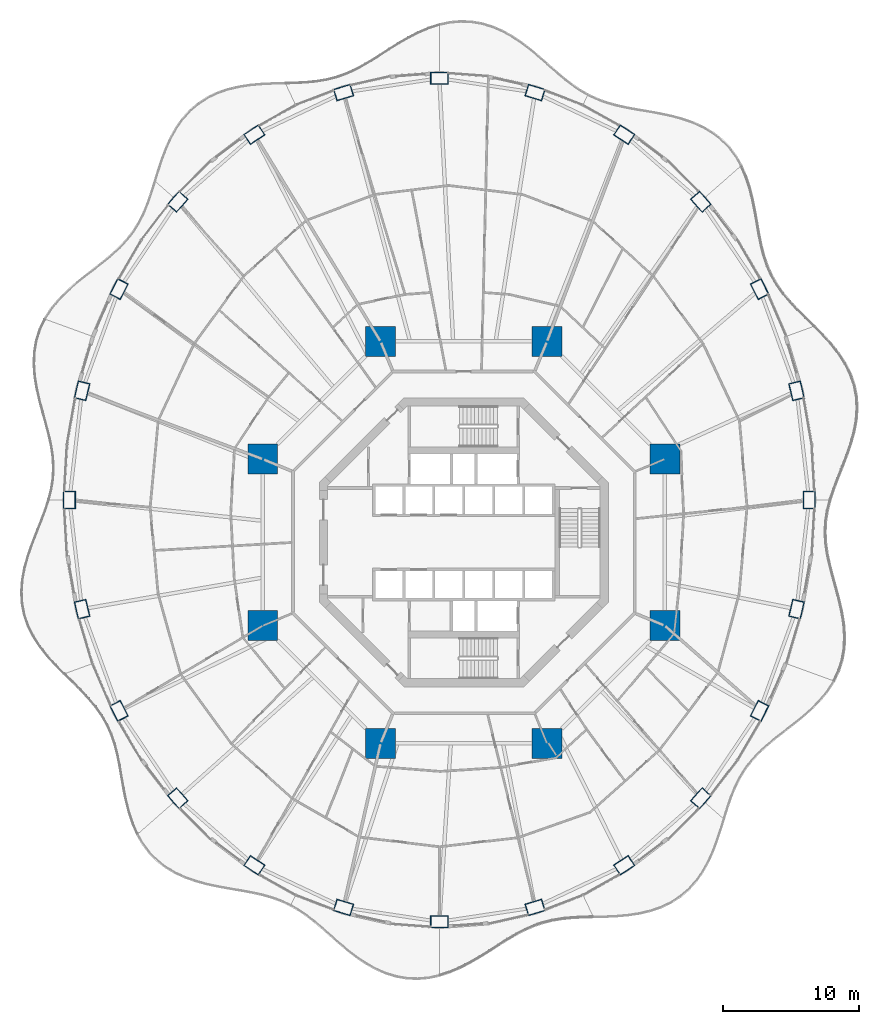
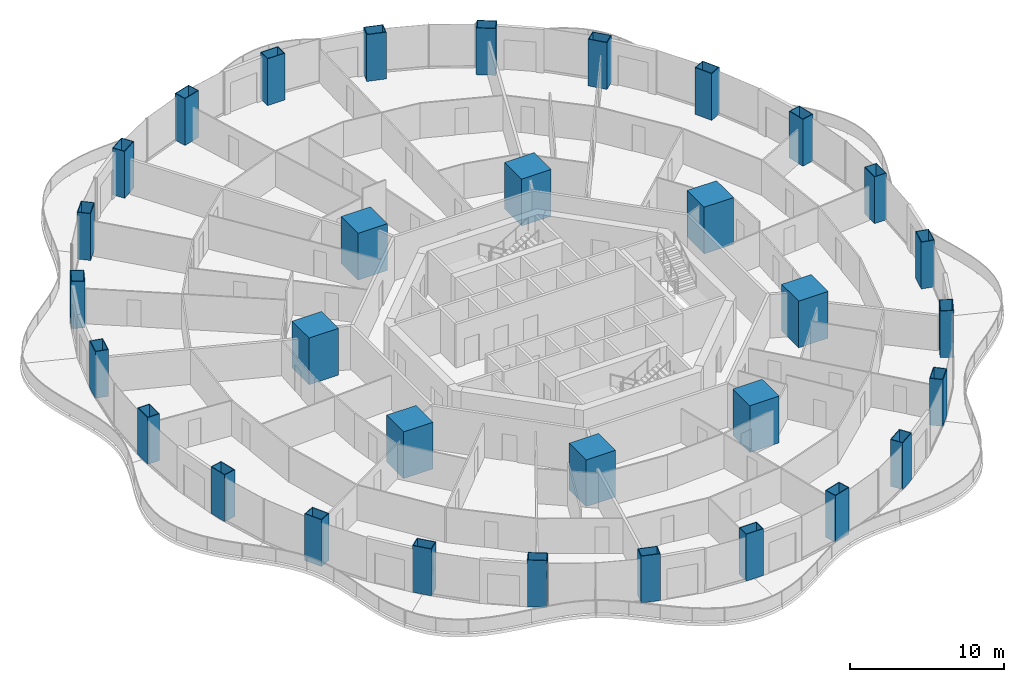
# One storey, part 1 of 22: 32 columns.
"""IFC4 building model written with IfcOpenShell, lengths in metres."""

import ifcopenshell
import ifcopenshell.guid

model = None  # the IFC model being written
_history = None  # IfcOwnerHistory: only IFC2X3 demands one
_inside = {}  # id of a spatial element -> (the spatial element, [elements in it])
_under = {}  # id of a project, library or spatial element -> (it, [spatial elements below it])
_declared = {}  # id of a project -> (the project, [libraries it declares])
_typed = {}  # id of a type object -> (the type object, [elements of that type])
_made_of = {}  # id of a material, layer set ... -> (it, [elements and type objects made of it])


def new_model(schema):
    """Start an empty IFC model of exactly this schema.

    Asked for "IFC4X3", IfcOpenShell would pick the latest addendum, in which some entities
    have other attributes; the version numbers below select the first issue.
    IFC2X3 requires an IfcOwnerHistory on every rooted entity: one is made here for all.
    """
    global model, _history
    if schema == "IFC4X3":
        model = ifcopenshell.file(schema_version=(4, 3, 0, 0))
    else:
        model = ifcopenshell.file(schema=schema)
    _inside.clear()
    _under.clear()
    _declared.clear()
    _typed.clear()
    _made_of.clear()
    _history = None
    if model.schema == "IFC2X3":
        org = make("IfcOrganization", Name="unknown")
        user = make(
            "IfcPersonAndOrganization",
            ThePerson=make("IfcPerson", FamilyName="unknown"),
            TheOrganization=org,
        )
        app = make(
            "IfcApplication",
            ApplicationDeveloper=org,
            Version="unknown",
            ApplicationFullName="unknown",
            ApplicationIdentifier="unknown",
        )
        _history = make(
            "IfcOwnerHistory",
            OwningUser=user,
            OwningApplication=app,
            ChangeAction="ADDED",
            CreationDate=0,
        )
    return model


def make(cls, **values):
    """One entity of the class cls with the attributes given. An attribute that is None is left unset."""
    return model.create_entity(
        cls, **{name: value for name, value in values.items() if value is not None}
    )


def rooted(cls, **values):
    """An entity with a GlobalId (a new one), such as an element, a storey or a relation."""
    return make(cls, GlobalId=ifcopenshell.guid.new(), OwnerHistory=_history, **values)


def si_unit(unit_type, name, prefix=None):
    """IfcSIUnit, for example si_unit("LENGTHUNIT", "METRE", prefix="MILLI")."""
    return make("IfcSIUnit", UnitType=unit_type, Prefix=prefix, Name=name)


def assignment(units):
    """IfcUnitAssignment: the units of a project."""
    return None if units is None else make("IfcUnitAssignment", Units=units)


def point(xyz):
    """IfcCartesianPoint."""
    return None if xyz is None else make("IfcCartesianPoint", Coordinates=xyz)


def direction(xyz):
    """IfcDirection."""
    return None if xyz is None else make("IfcDirection", DirectionRatios=xyz)


def frame(location, z_axis=None, x_axis=None):
    """IfcAxis2Placement3D, a coordinate frame: its origin and axes. An axis left out is left unset."""
    return make(
        "IfcAxis2Placement3D",
        Location=point(location),
        Axis=direction(z_axis),
        RefDirection=direction(x_axis),
    )


def frame_2d(location, x_axis=None):
    """IfcAxis2Placement2D, a coordinate frame in the plane: its origin and x axis."""
    return make(
        "IfcAxis2Placement2D", Location=point(location), RefDirection=direction(x_axis)
    )


def origin():
    """The frame at (0, 0, 0) with its axes left unset."""
    return frame((0.0, 0.0, 0.0))


def origin_2d():
    """The frame at (0, 0) in the plane with its x axis left unset."""
    return frame_2d((0.0, 0.0))


def place(relative_to, where):
    """IfcLocalPlacement: puts the frame where relative to a parent placement (None: the world)."""
    return make(
        "IfcLocalPlacement", PlacementRelTo=relative_to, RelativePlacement=where
    )


def context(
    kind, dimensions, precision=None, world=None, true_north=None, identifier=None
):
    """IfcGeometricRepresentationContext, for example the 3D "Model" context."""
    return make(
        "IfcGeometricRepresentationContext",
        ContextIdentifier=identifier,
        ContextType=kind,
        CoordinateSpaceDimension=dimensions,
        Precision=precision,
        WorldCoordinateSystem=world,
        TrueNorth=true_north,
    )


def subcontext(parent, identifier, kind, view, scale=None):
    """IfcGeometricRepresentationSubContext, for example "Body" below "Model"."""
    return make(
        "IfcGeometricRepresentationSubContext",
        ContextIdentifier=identifier,
        ContextType=kind,
        ParentContext=parent,
        TargetScale=scale,
        TargetView=view,
    )


def project(units=None, contexts=None):
    """IfcProject with its units and contexts."""
    return rooted(
        "IfcProject",
        Name="project",
        RepresentationContexts=contexts,
        UnitsInContext=assignment(units),
    )


def spatial(cls, under=None, at=None, **own):
    """A site, building, storey or space (cls), placed at a placement, below another one or the project."""
    s = rooted(cls, ObjectPlacement=at, **own)
    if under is not None:
        _under.setdefault(under.id(), (under, []))[1].append(s)
    return s


def profile(cls, at=None, kind="AREA", **sizes):
    """A parametric profile (cls). Its sizes go by their IFC names, for example OverallWidth=200.0."""
    return make(cls, ProfileType=kind, Position=at, **sizes)


def rectangle(**sizes):
    """IfcRectangleProfileDef."""
    return profile("IfcRectangleProfileDef", **sizes)


def hollow_rectangle(**sizes):
    """IfcRectangleHollowProfileDef."""
    return profile("IfcRectangleHollowProfileDef", **sizes)


def extrude(swept, where, along, depth):
    """IfcExtrudedAreaSolid: the profile swept, set in the frame where, extruded along a direction by depth."""
    return make(
        "IfcExtrudedAreaSolid",
        SweptArea=swept,
        Position=where,
        ExtrudedDirection=direction(along),
        Depth=depth,
    )


def shape(context_of_items, identifier, shape_type, items):
    """IfcShapeRepresentation: the items that make up one representation, for example the "Body"."""
    return make(
        "IfcShapeRepresentation",
        ContextOfItems=context_of_items,
        RepresentationIdentifier=identifier,
        RepresentationType=shape_type,
        Items=items,
    )


def material(Name=None, Category=None):
    """IfcMaterial."""
    return make("IfcMaterial", Name=Name, Category=Category)


def material_profile(
    of_material, cross_section, Name=None, Category=None, Priority=None
):
    """IfcMaterialProfile: a cross section and its material."""
    return make(
        "IfcMaterialProfile",
        Name=Name,
        Material=of_material,
        Profile=cross_section,
        Priority=Priority,
        Category=Category,
    )


def profile_set(profiles, Name=None, composite=None):
    """IfcMaterialProfileSet."""
    return make(
        "IfcMaterialProfileSet",
        Name=Name,
        MaterialProfiles=profiles,
        CompositeProfile=composite,
    )


def made_of(thing, what):
    """Note that an element or type object is made of a material, layer set ...; save() writes the relation."""
    if what is not None:
        _made_of.setdefault(what.id(), (what, []))[1].append(thing)
    return thing


def type_object(cls, material=None, **own):
    """A type object (cls), such as IfcWallType, which elements share."""
    return made_of(rooted(cls, **own), material)


def element(
    cls,
    number,
    at=None,
    inside=None,
    cuts=None,
    type_object=None,
    material=None,
    context=None,
    identifier="Body",
    shape_type=None,
    held_by="IfcProductDefinitionShape",
    body=None,
    shapes=None,
    **own,
):
    """One element of the class cls, such as IfcWall. Its Tag is "e" and its number.

    at: its placement. inside: the storey or other place that contains it. cuts: it is an
    opening in that element (IfcRelVoidsElement). A single representation is given by context,
    identifier, shape_type and body (its items); several are given by shapes. held_by: the class
    of the entity that holds the representations. save() writes the other relations.
    """
    e = rooted(cls, Tag="e%d" % number, ObjectPlacement=at, **own)
    if body is not None:
        shapes = [shape(context, identifier, shape_type, body)]
    if shapes is not None:
        e.Representation = make(held_by, Representations=shapes)
    if inside is not None:
        _inside.setdefault(inside.id(), (inside, []))[1].append(e)
    if cuts is not None:
        rooted(
            "IfcRelVoidsElement", RelatingBuildingElement=cuts, RelatedOpeningElement=e
        )
    if type_object is not None:
        _typed.setdefault(type_object.id(), (type_object, []))[1].append(e)
    return made_of(e, material)


def aggregate(whole, parts):
    """IfcRelAggregates: a whole, such as a stair, and the parts it consists of."""
    return rooted("IfcRelAggregates", RelatingObject=whole, RelatedObjects=parts)


def save(model, path):
    """Write the relations noted so far, then the file.

    IfcRelAggregates (storeys below a building ...), IfcRelContainedInSpatialStructure (elements
    in a storey), IfcRelDefinesByType, IfcRelAssociatesMaterial and IfcRelDeclares: one each for
    every whole, place, type object, material and project.
    """
    for whole, parts in _under.values():
        aggregate(whole, parts)
    for where, things in _inside.values():
        rooted(
            "IfcRelContainedInSpatialStructure",
            RelatedElements=things,
            RelatingStructure=where,
        )
    for kind, things in _typed.values():
        rooted("IfcRelDefinesByType", RelatedObjects=things, RelatingType=kind)
    for what, things in _made_of.values():
        rooted("IfcRelAssociatesMaterial", RelatedObjects=things, RelatingMaterial=what)
    for by, libraries in _declared.values():
        rooted("IfcRelDeclares", RelatingContext=by, RelatedDefinitions=libraries)
    model.write(path)


model = new_model("IFC4")

# Units and contexts
model_context = context("Model", 3, precision=1e-05, world=origin(), true_north=direction((0.0, 1.0)))
body_context = subcontext(model_context, "Body", "Model", "MODEL_VIEW")
ifc_project = project(units=[si_unit("LENGTHUNIT", "METRE"), si_unit("AREAUNIT", "SQUARE_METRE"), si_unit("VOLUMEUNIT", "CUBIC_METRE"), si_unit("PLANEANGLEUNIT", "RADIAN"), si_unit("MASSUNIT", "GRAM", prefix="KILO")], contexts=[model_context])

# Site, building, storey
site_placement = place(None, origin())
site = spatial("IfcSite", under=ifc_project, at=site_placement, CompositionType="ELEMENT")
building_placement = place(site_placement, origin())
building = spatial("IfcBuilding", under=site, at=building_placement, Name="Nagisa Residences", CompositionType="ELEMENT")
storey_placement = place(building_placement, frame((0.0, 0.0, 99.199951171875)))
storey = spatial("IfcBuildingStorey", under=building, at=storey_placement, Name="L24", CompositionType="ELEMENT", Elevation=99.199951171875)

# Columns
ifc_material_1 = material(Name="Concrete C80", Category="concrete")
ifc_material_profile_1 = material_profile(ifc_material_1, rectangle(XDim=2.199951171875, YDim=2.199951171875, at=origin_2d()), Name="C80 2200x2200")
ifc_profile_set_1 = profile_set([ifc_material_profile_1], Name="Concrete C80")
column_type_1 = type_object("IfcColumnType", Name="Inner megacolumn C80 2200x2200", PredefinedType="COLUMN", material=ifc_profile_set_1)
for number, where, z_axis, x_axis, name in (
    (1, (14.781982421875, 6.123046875, 0.0), (0.0, 0.0, 1.0), (1.0, 0.0, 0.0), "col:L24:i1"),
    (2, (6.123046875, 14.781982421875, 0.0), (0.0, 0.0, 1.0), (1.0, 0.0, 0.0), "col:L24:i2"),
    (3, (-6.123046875, 14.781982421875, 0.0), (0.0, 0.0, 1.0), (1.0, 0.0, 0.0), "col:L24:i3"),
    (4, (-14.781982421875, 6.123046875, 0.0), (0.0, 0.0, 1.0), (1.0, 0.0, 0.0), "col:L24:i4"),
    (5, (-14.781982421875, -6.123046875, 0.0), (0.0, 0.0, 1.0), (1.0, 0.0, 0.0), "col:L24:i5"),
    (6, (-6.123046875, -14.781982421875, 0.0), (0.0, 0.0, 1.0), (1.0, 0.0, 0.0), "col:L24:i6"),
    (7, (6.123046875, -14.781982421875, 0.0), (0.0, 0.0, 1.0), (1.0, 0.0, 0.0), "col:L24:i7"),
    (8, (14.781982421875, -6.123046875, 0.0), (0.0, 0.0, 1.0), (1.0, 0.0, 0.0), "col:L24:i8"),
):
    element("IfcColumn", number, at=place(storey_placement, frame(where, z_axis=z_axis, x_axis=x_axis)), inside=storey, type_object=column_type_1, Name=name, PredefinedType="COLUMN", context=body_context, shape_type="SweptSolid", body=[
        extrude(rectangle(XDim=2.199951171875, YDim=2.199951171875, at=origin_2d()), origin(), (0.0, 0.0, 1.0), 3.699951171875),
    ])
ifc_material_2 = material(Name="Steel ASTM A572 Gr 50", Category="steel")
ifc_material_profile_2 = material_profile(ifc_material_2, hollow_rectangle(XDim=1.300048828125, YDim=0.89990234375, WallThickness=0.044921875, at=origin_2d()), Name="BX 1300x900x45")
ifc_profile_set_2 = profile_set([ifc_material_profile_2], Name="Steel ASTM A572 Gr 50")
column_type_2 = type_object("IfcColumnType", Name="Perimeter column BX 1300x900x45", PredefinedType="COLUMN", material=ifc_profile_set_2)
for number, where, z_axis, x_axis, name in (
    (9, (25.39501953125, 3.11767578125, 0.0), (0.0, 0.0, 1.0), (0.0, 1.0, 0.0), "col:L24:p00"),
    (10, (24.46826171875, 11.14501953125, 0.0), (0.0, 0.0, 1.0), (-0.229202013103, 0.973378876486, 0.0), "col:L24:p01"),
    (11, (21.75146484375, 18.625244140625, 0.0), (0.0, 0.0, 1.0), (-0.452462697578, 0.891783329795, 0.0), "col:L24:p02"),
    (12, (17.4296875, 25.048583984375, 0.0), (0.0, 0.0, 1.0), (-0.660114607735, 0.751164898445, 0.0), "col:L24:p03"),
    (13, (11.797607421875, 29.9775390625, 0.0), (0.0, 0.0, 1.0), (-0.835766105673, 0.54908561865, 0.0), "col:L24:p04"),
    (14, (5.238525390625, 33.075927734375, 0.0), (0.0, 0.0, 1.0), (-0.956524583408, 0.291651712384, 0.0), "col:L24:p05"),
    (15, (-1.800048828125, 34.1328125, 0.0), (0.0, 0.0, 1.0), (-1.0, 0.0, 0.0), "col:L24:p06"),
    (16, (-8.838623046875, 33.075927734375, 0.0), (0.0, 0.0, 1.0), (-0.956524583408, -0.291651712384, 0.0), "col:L24:p07"),
    (17, (-15.3974609375, 29.9775390625, 0.0), (0.0, 0.0, 1.0), (-0.835766105673, -0.54908561865, 0.0), "col:L24:p08"),
    (18, (-21.02978515625, 25.048583984375, 0.0), (0.0, 0.0, 1.0), (-0.660114607735, -0.751164898445, 0.0), "col:L24:p09"),
    (19, (-25.3515625, 18.625244140625, 0.0), (0.0, 0.0, 1.0), (-0.452462697578, -0.891783329795, 0.0), "col:L24:p10"),
    (20, (-28.068359375, 11.14501953125, 0.0), (0.0, 0.0, 1.0), (-0.229202013103, -0.973378876486, 0.0), "col:L24:p11"),
    (21, (-28.9951171875, 3.11767578125, 0.0), (0.0, 0.0, 1.0), (0.0, -1.0, 0.0), "col:L24:p12"),
    (22, (-28.068359375, -4.90966796875, 0.0), (0.0, 0.0, 1.0), (0.229202013103, -0.973378876486, 0.0), "col:L24:p13"),
    (23, (-25.3515625, -12.389892578125, 0.0), (0.0, 0.0, 1.0), (0.452462697578, -0.891783329795, 0.0), "col:L24:p14"),
    (24, (-21.02978515625, -18.813232421875, 0.0), (0.0, 0.0, 1.0), (0.660114607735, -0.751164898445, 0.0), "col:L24:p15"),
    (25, (-15.3974609375, -23.7421875, 0.0), (0.0, 0.0, 1.0), (0.835766105673, -0.54908561865, 0.0), "col:L24:p16"),
    (26, (-8.838623046875, -26.840576171875, 0.0), (0.0, 0.0, 1.0), (0.956524583408, -0.291651712384, 0.0), "col:L24:p17"),
    (27, (-1.800048828125, -27.897216796875, 0.0), (0.0, 0.0, 1.0), (1.0, 0.0, 0.0), "col:L24:p18"),
    (28, (5.238525390625, -26.840576171875, 0.0), (0.0, 0.0, 1.0), (0.956524583408, 0.291651712384, 0.0), "col:L24:p19"),
    (29, (11.797607421875, -23.7421875, 0.0), (0.0, 0.0, 1.0), (0.835766105673, 0.54908561865, 0.0), "col:L24:p20"),
    (30, (17.4296875, -18.813232421875, 0.0), (0.0, 0.0, 1.0), (0.660114607735, 0.751164898445, 0.0), "col:L24:p21"),
    (31, (21.75146484375, -12.389892578125, 0.0), (0.0, 0.0, 1.0), (0.452462697578, 0.891783329795, 0.0), "col:L24:p22"),
    (32, (24.46826171875, -4.90966796875, 0.0), (0.0, 0.0, 1.0), (0.229202013103, 0.973378876486, 0.0), "col:L24:p23"),
):
    element("IfcColumn", number, at=place(storey_placement, frame(where, z_axis=z_axis, x_axis=x_axis)), inside=storey, type_object=column_type_2, Name=name, PredefinedType="COLUMN", context=body_context, shape_type="SweptSolid", body=[
        extrude(hollow_rectangle(XDim=1.300048828125, YDim=0.89990234375, WallThickness=0.044921875, at=origin_2d()), origin(), (0.0, 0.0, 1.0), 3.699951171875),
    ])

save(model, "model.ifc")
